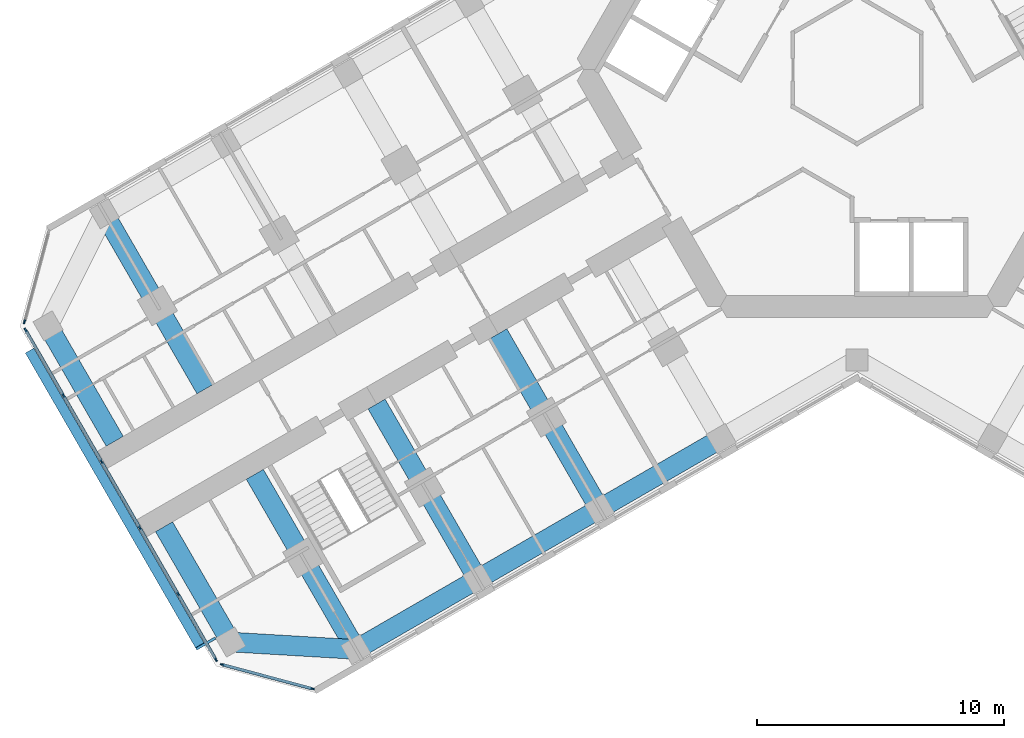
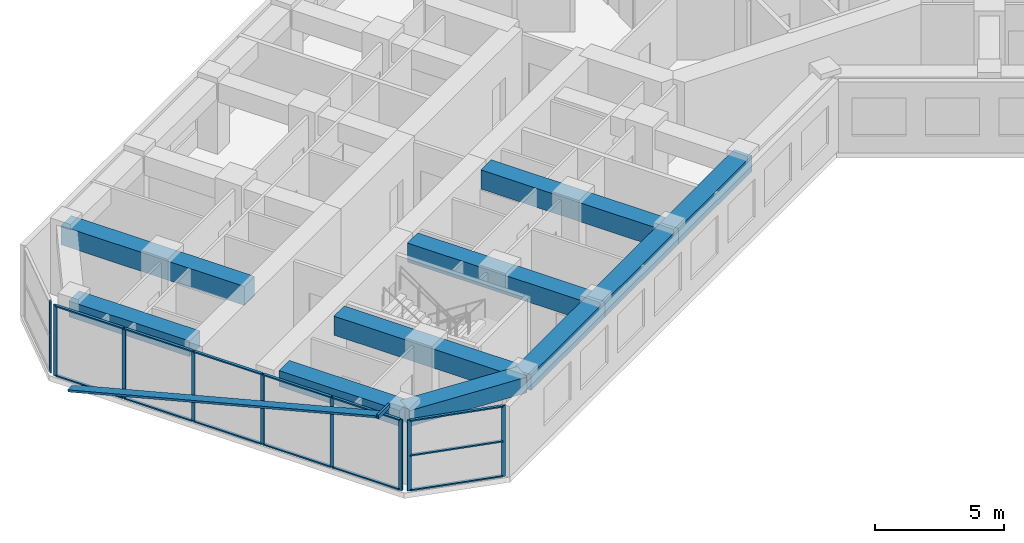
# One storey, part 2 of 19: 24 members, 10 beams, 3 elements without a shape of their own.
"""IFC4 building model written with IfcOpenShell, lengths in metres."""

from ifc_helpers import new_model, si_unit, direction, frame, origin, origin_2d, place, context, subcontext, project, spatial, rectangle, hollow_rectangle, extrude, material, material_profile, profile_set, type_object, element, aggregate, save


model = new_model("IFC4")

# Units and contexts
model_context = context("Model", 3, precision=1e-05, world=origin(), true_north=direction((0.0, 1.0)))
body_context = subcontext(model_context, "Body", "Model", "MODEL_VIEW")
ifc_project = project(units=[si_unit("LENGTHUNIT", "METRE"), si_unit("AREAUNIT", "SQUARE_METRE"), si_unit("VOLUMEUNIT", "CUBIC_METRE"), si_unit("PLANEANGLEUNIT", "RADIAN"), si_unit("MASSUNIT", "GRAM", prefix="KILO")], contexts=[model_context])

# Site, building, storey
site_placement = place(None, origin())
site = spatial("IfcSite", under=ifc_project, at=site_placement, CompositionType="ELEMENT")
building_placement = place(site_placement, origin())
building = spatial("IfcBuilding", under=site, at=building_placement, Name="Kosmar Iwan School Tower", CompositionType="ELEMENT")
storey_placement = place(building_placement, frame((0.0, 0.0, 168.800048828125)))
storey = spatial("IfcBuildingStorey", under=building, at=storey_placement, Name="L42", CompositionType="ELEMENT", Elevation=168.800048828125)

# Members
ifc_material_1 = material(Name="Black anodised aluminium", Category="aluminium")
ifc_material_profile_1 = material_profile(ifc_material_1, rectangle(XDim=0.10009765625, YDim=0.39990234375, at=origin_2d()), Name="FIN 100x400")
ifc_profile_set_1 = profile_set([ifc_material_profile_1], Name="Black anodised aluminium")
member_type_1 = type_object("IfcMemberType", Name="Diagonal fin 100x400", PredefinedType="USERDEFINED", material=ifc_profile_set_1)
member_1_placement = place(storey_placement, frame((-33.54345703125, -11.40087890625, -0.150146484375), z_axis=(0.483793446988, -0.837970316603, 0.25248692866), x_axis=(-0.126241714543, 0.218661104574, 0.96760030532)))
element("IfcMember", 1, at=member_1_placement, inside=storey, type_object=member_type_1, Name="Diagonal fin L42-F13", ObjectType="FIN", PredefinedType="USERDEFINED", context=body_context, shape_type="SweptSolid", body=[
    extrude(rectangle(XDim=0.10009765625, YDim=0.39990234375, at=origin_2d()), origin(), (0.0, 0.0, 1.0), 14.258544921875),
])
ifc_material_2 = material(Name="Steel S355", Category="steel")
ifc_material_profile_2 = material_profile(ifc_material_2, hollow_rectangle(XDim=0.10009765625, YDim=0.199951171875, WallThickness=0.008056640625, at=origin_2d()), Name="RHS 200x100x8")
ifc_profile_set_2 = profile_set([ifc_material_profile_2], Name="Steel S355")
member_type_2 = type_object("IfcMemberType", Name="Fin bracket RHS 200x100", PredefinedType="USERDEFINED", material=ifc_profile_set_2)
member_2_placement = place(storey_placement, frame((-26.01318359375, -23.0439453125, 3.474853515625), z_axis=(-0.866013897511, -0.50001992892, 0.0), x_axis=(0.50001992892, -0.866013897511, 0.0)))
element("IfcMember", 2, at=member_2_placement, inside=storey, type_object=member_type_2, Name="Fin bracket L43", ObjectType="FIN BRACKET", PredefinedType="USERDEFINED", context=body_context, shape_type="SweptSolid", body=[
    extrude(hollow_rectangle(XDim=0.10009765625, YDim=0.199951171875, WallThickness=0.008056640625, at=origin_2d()), origin(), (0.0, 0.0, 1.0), 0.89990234375),
])

# Curtain wall, member
ifc_material_3 = material(Name="Dark glass in black aluminium frame", Category="aluminium")
curtain_wall_type_1 = type_object("IfcCurtainWallType", Name="Chamfer curtain wall dark glass", PredefinedType="USERDEFINED", material=ifc_material_3)
curtain_wall_1_placement = place(storey_placement, origin())
curtain_wall_1 = element("IfcCurtainWall", 3, at=curtain_wall_1_placement, inside=storey, type_object=curtain_wall_type_1, Name="Curtain wall L42-F12", ObjectType="FACETED CURTAIN WALL", PredefinedType="USERDEFINED")
ifc_material_4 = material(Name="Black anodised aluminium", Category="aluminium")
ifc_material_profile_3 = material_profile(ifc_material_4, rectangle(XDim=0.06005859375, YDim=0.159912109375, at=origin_2d()), Name="MULLION 60x160")
ifc_profile_set_3 = profile_set([ifc_material_profile_3], Name="Black anodised aluminium")
member_type_3 = type_object("IfcMemberType", Name="Mullion 60x160", PredefinedType="MULLION", material=ifc_profile_set_3)
member_3_placement = place(storey_placement, frame((-33.7587890625, -10.2236328125, 0.0), z_axis=(0.0, 0.0, 1.0), x_axis=(0.965925875495, -0.258818861462, 0.0)))
member_3 = element("IfcMember", 4, at=member_3_placement, type_object=member_type_3, Name="CW2 mullion 2", PredefinedType="MULLION", context=body_context, shape_type="SweptSolid", body=[
    extrude(rectangle(XDim=0.06005859375, YDim=0.159912109375, at=origin_2d()), origin(), (0.0, 0.0, 1.0), 3.349853515625),
])
aggregate(curtain_wall_1, [member_3])

# Curtain wall, members
ifc_material_5 = material(Name="Dark glass in black aluminium frame", Category="aluminium")
curtain_wall_type_2 = type_object("IfcCurtainWallType", Name="Tower curtain wall dark glass", PredefinedType="USERDEFINED", material=ifc_material_5)
curtain_wall_2_placement = place(storey_placement, origin())
curtain_wall_2 = element("IfcCurtainWall", 5, at=curtain_wall_2_placement, inside=storey, type_object=curtain_wall_type_2, Name="Curtain wall L42-F13", ObjectType="UNITISED CURTAIN WALL", PredefinedType="USERDEFINED")
member_4_placement = place(storey_placement, frame((-33.71533203125, -10.55322265625, 0.0), z_axis=(0.0, 0.0, 1.0), x_axis=(0.866025405329, 0.499999997325, 0.0)))
member_4 = element("IfcMember", 6, at=member_4_placement, type_object=member_type_3, Name="CW1 mullion 1", PredefinedType="MULLION", context=body_context, shape_type="SweptSolid", body=[
    extrude(rectangle(XDim=0.06005859375, YDim=0.159912109375, at=origin_2d()), origin(), (0.0, 0.0, 1.0), 3.349853515625),
])
member_5_placement = place(storey_placement, frame((-32.1806640625, -13.21142578125, 0.0), z_axis=(0.0, 0.0, 1.0), x_axis=(0.866025405329, 0.499999997325, 0.0)))
member_5 = element("IfcMember", 7, at=member_5_placement, type_object=member_type_3, Name="CW1 mullion 2", PredefinedType="MULLION", context=body_context, shape_type="SweptSolid", body=[
    extrude(rectangle(XDim=0.06005859375, YDim=0.159912109375, at=origin_2d()), origin(), (0.0, 0.0, 1.0), 3.349853515625),
])
member_6_placement = place(storey_placement, frame((-30.631103515625, -15.8955078125, 0.0), z_axis=(0.0, 0.0, 1.0), x_axis=(0.866025405329, 0.499999997325, 0.0)))
member_6 = element("IfcMember", 8, at=member_6_placement, type_object=member_type_3, Name="CW1 mullion 3", PredefinedType="MULLION", context=body_context, shape_type="SweptSolid", body=[
    extrude(rectangle(XDim=0.06005859375, YDim=0.159912109375, at=origin_2d()), origin(), (0.0, 0.0, 1.0), 3.349853515625),
])
member_7_placement = place(storey_placement, frame((-29.081298828125, -18.57958984375, 0.0), z_axis=(0.0, 0.0, 1.0), x_axis=(0.866025405329, 0.499999997325, 0.0)))
member_7 = element("IfcMember", 9, at=member_7_placement, type_object=member_type_3, Name="CW1 mullion 4", PredefinedType="MULLION", context=body_context, shape_type="SweptSolid", body=[
    extrude(rectangle(XDim=0.06005859375, YDim=0.159912109375, at=origin_2d()), origin(), (0.0, 0.0, 1.0), 3.349853515625),
])
member_8_placement = place(storey_placement, frame((-27.53173828125, -21.263671875, 0.0), z_axis=(0.0, 0.0, 1.0), x_axis=(0.866025405329, 0.499999997325, 0.0)))
member_8 = element("IfcMember", 10, at=member_8_placement, type_object=member_type_3, Name="CW1 mullion 5", PredefinedType="MULLION", context=body_context, shape_type="SweptSolid", body=[
    extrude(rectangle(XDim=0.06005859375, YDim=0.159912109375, at=origin_2d()), origin(), (0.0, 0.0, 1.0), 3.349853515625),
])
member_9_placement = place(storey_placement, frame((-25.9970703125, -23.921630859375, 0.0), z_axis=(0.0, 0.0, 1.0), x_axis=(0.866025405329, 0.499999997325, 0.0)))
member_9 = element("IfcMember", 11, at=member_9_placement, type_object=member_type_3, Name="CW1 mullion 6", PredefinedType="MULLION", context=body_context, shape_type="SweptSolid", body=[
    extrude(rectangle(XDim=0.06005859375, YDim=0.159912109375, at=origin_2d()), origin(), (0.0, 0.0, 1.0), 3.349853515625),
])

curtain_wall_3_placement = place(storey_placement, origin())
curtain_wall_3 = element("IfcCurtainWall", 12, at=curtain_wall_3_placement, inside=storey, type_object=curtain_wall_type_1, Name="Curtain wall L42-F14", ObjectType="FACETED CURTAIN WALL", PredefinedType="USERDEFINED")
member_10_placement = place(storey_placement, frame((-25.733154296875, -24.124267578125, 0.0), z_axis=(0.0, 0.0, 1.0), x_axis=(0.258818861462, 0.965925875495, 0.0)))
member_10 = element("IfcMember", 13, at=member_10_placement, type_object=member_type_3, Name="CW2 mullion 1", PredefinedType="MULLION", context=body_context, shape_type="SweptSolid", body=[
    extrude(rectangle(XDim=0.06005859375, YDim=0.159912109375, at=origin_2d()), origin(), (0.0, 0.0, 1.0), 3.349853515625),
])
member_11_placement = place(storey_placement, frame((-22.0830078125, -25.102294921875, 0.0), z_axis=(0.0, 0.0, 1.0), x_axis=(0.258818861462, 0.965925875495, 0.0)))
member_11 = element("IfcMember", 14, at=member_11_placement, type_object=member_type_3, Name="CW2 mullion 2", PredefinedType="MULLION", context=body_context, shape_type="SweptSolid", body=[
    extrude(rectangle(XDim=0.06005859375, YDim=0.159912109375, at=origin_2d()), origin(), (0.0, 0.0, 1.0), 3.349853515625),
])

# Beams
ifc_material_6 = material(Name="Concrete C50/60", Category="concrete")
ifc_material_profile_4 = material_profile(ifc_material_6, rectangle(XDim=0.800048828125, YDim=0.75, at=origin_2d()), Name="RC 800x750")
ifc_profile_set_4 = profile_set([ifc_material_profile_4], Name="Concrete C50/60")
beam_type_1 = type_object("IfcBeamType", Name="RC edge beam 800x750", PredefinedType="BEAM", material=ifc_profile_set_4)
beam_1_placement = place(storey_placement, frame((-5.5087890625, -14.95849609375, 2.974853515625), z_axis=(-0.866033658841, -0.49998570155, 0.0), x_axis=(0.49998570155, -0.866033658841, 0.0)))
element("IfcBeam", 15, at=beam_1_placement, inside=storey, type_object=beam_type_1, Name="Edge beam BL2", PredefinedType="BEAM", context=body_context, shape_type="SweptSolid", body=[
    extrude(rectangle(XDim=0.800048828125, YDim=0.75, at=origin_2d()), origin(), (0.0, 0.0, 1.0), 5.699951171875),
])
beam_2_placement = place(storey_placement, frame((-10.445068359375, -17.808349609375, 2.974853515625), z_axis=(-0.866025820012, -0.499999279071, 0.0), x_axis=(0.499999279071, -0.866025820012, 0.0)))
element("IfcBeam", 16, at=beam_2_placement, inside=storey, type_object=beam_type_1, Name="Edge beam BL3", PredefinedType="BEAM", context=body_context, shape_type="SweptSolid", body=[
    extrude(rectangle(XDim=0.800048828125, YDim=0.75, at=origin_2d()), origin(), (0.0, 0.0, 1.0), 5.7001953125),
])
beam_3_placement = place(storey_placement, frame((-15.381591796875, -20.658447265625, 2.974853515625), z_axis=(-0.866015111908, -0.50001782563, 0.0), x_axis=(0.50001782563, -0.866015111908, 0.0)))
element("IfcBeam", 17, at=beam_3_placement, inside=storey, type_object=beam_type_1, Name="Edge beam BL4", PredefinedType="BEAM", context=body_context, shape_type="SweptSolid", body=[
    extrude(rectangle(XDim=0.800048828125, YDim=0.75, at=origin_2d()), origin(), (0.0, 0.0, 1.0), 5.699951171875),
])
ifc_material_7 = material(Name="Concrete C50/60", Category="concrete")
ifc_material_profile_5 = material_profile(ifc_material_7, rectangle(XDim=0.800048828125, YDim=0.75, at=origin_2d()), Name="RC 800x750")
ifc_profile_set_5 = profile_set([ifc_material_profile_5], Name="Concrete C50/60")
beam_type_2 = type_object("IfcBeamType", Name="RC tip beam 800x750", PredefinedType="BEAM", material=ifc_profile_set_5)
beam_4_placement = place(storey_placement, frame((-20.31787109375, -23.508544921875, 2.974853515625), z_axis=(-0.998260616478, 0.058955420358, 0.0), x_axis=(-0.058955420358, -0.998260616478, 0.0)))
element("IfcBeam", 18, at=beam_4_placement, inside=storey, type_object=beam_type_2, Name="Tip beam BL", PredefinedType="BEAM", context=body_context, shape_type="SweptSolid", body=[
    extrude(rectangle(XDim=0.800048828125, YDim=0.75, at=origin_2d()), origin(), (0.0, 0.0, 1.0), 5.08935546875),
])
for number, where, z_axis, x_axis, name in (
    (19, (-25.3984375, -23.20849609375, 2.974853515625), (-0.499995103361, 0.866028230842, 0.0), (-0.866028230842, -0.499995103361, 0.0), "Tip beam BL to corridor wall"),
    (20, (-32.79833984375, -10.391357421875, 2.974853515625), (0.499995103361, -0.866028230842, 0.0), (0.866028230842, 0.499995103361, 0.0), "Tip beam BR to corridor wall"),
):
    element("IfcBeam", number, at=place(storey_placement, frame(where, z_axis=z_axis, x_axis=x_axis)), inside=storey, type_object=beam_type_2, Name=name, PredefinedType="BEAM", context=body_context, shape_type="SweptSolid", body=[
        extrude(rectangle(XDim=0.800048828125, YDim=0.75, at=origin_2d()), origin(), (0.0, 0.0, 1.0), 5.39990234375),
    ])
ifc_material_8 = material(Name="Concrete C50/60", Category="concrete")
ifc_material_profile_6 = material_profile(ifc_material_8, rectangle(XDim=0.800048828125, YDim=0.89990234375, at=origin_2d()), Name="RC 800x900")
ifc_profile_set_6 = profile_set([ifc_material_profile_6], Name="Concrete C50/60")
beam_type_3 = type_object("IfcBeamType", Name="RC transverse beam 800x900", PredefinedType="BEAM", material=ifc_profile_set_6)
for number, where, z_axis, x_axis, name in (
    (21, (-10.445068359375, -17.808349609375, 2.89990234375), (-0.500013681986, 0.866017504342, 0.0), (-0.866017504342, -0.500013681986, 0.0), "Transverse beam BL2"),
    (22, (-15.381591796875, -20.658447265625, 2.89990234375), (-0.49999135188, 0.866030396721, 0.0), (-0.866030396721, -0.49999135188, 0.0), "Transverse beam BL3"),
    (23, (-20.31787109375, -23.508544921875, 2.89990234375), (-0.499978459874, 0.866037839625, 0.0), (-0.866037839625, -0.499978459874, 0.0), "Transverse beam BL4"),
    (24, (-30.517822265625, -5.841552734375, 2.89990234375), (0.500013681986, -0.866017504342, 0.0), (0.866017504342, 0.500013681986, 0.0), "Transverse beam BR4"),
):
    element("IfcBeam", number, at=place(storey_placement, frame(where, z_axis=z_axis, x_axis=x_axis)), inside=storey, type_object=beam_type_3, Name=name, PredefinedType="BEAM", context=body_context, shape_type="SweptSolid", body=[
        extrude(rectangle(XDim=0.800048828125, YDim=0.89990234375, at=origin_2d()), origin(), (0.0, 0.0, 1.0), 8.199951171875),
    ])

# Member
ifc_material_9 = material(Name="Black anodised aluminium", Category="aluminium")
ifc_material_profile_7 = material_profile(ifc_material_9, rectangle(XDim=0.1201171875, YDim=0.06005859375, at=origin_2d()), Name="TRANSOM 60x120")
ifc_profile_set_7 = profile_set([ifc_material_profile_7], Name="Black anodised aluminium")
member_type_4 = type_object("IfcMemberType", Name="Transom 60x120", PredefinedType="USERDEFINED", material=ifc_profile_set_7)
member_12_placement = place(storey_placement, frame((-33.700439453125, -10.579345703125, 0.030029296875), z_axis=(0.500022102064, -0.866012642776, 0.0), x_axis=(0.866012642776, 0.500022102064, 0.0)))
member_12 = element("IfcMember", 25, at=member_12_placement, type_object=member_type_4, Name="CW1 transom 1.1", ObjectType="TRANSOM", PredefinedType="USERDEFINED", context=body_context, shape_type="SweptSolid", body=[
    extrude(rectangle(XDim=0.1201171875, YDim=0.06005859375, at=origin_2d()), origin(), (0.0, 0.0, 1.0), 3.009033203125),
])

member_13_placement = place(storey_placement, frame((-33.700439453125, -10.579345703125, 3.320068359375), z_axis=(0.500022102064, -0.866012642776, 0.0), x_axis=(0.866012642776, 0.500022102064, 0.0)))
member_13 = element("IfcMember", 26, at=member_13_placement, type_object=member_type_4, Name="CW1 transom 1.2", ObjectType="TRANSOM", PredefinedType="USERDEFINED", context=body_context, shape_type="SweptSolid", body=[
    extrude(rectangle(XDim=0.1201171875, YDim=0.06005859375, at=origin_2d()), origin(), (0.0, 0.0, 1.0), 3.009033203125),
])

member_14_placement = place(storey_placement, frame((-32.165771484375, -13.2373046875, 0.030029296875), z_axis=(0.500035348339, -0.866004994449, 0.0), x_axis=(0.866004994449, 0.500035348339, 0.0)))
member_14 = element("IfcMember", 27, at=member_14_placement, type_object=member_type_4, Name="CW1 transom 2.1", ObjectType="TRANSOM", PredefinedType="USERDEFINED", context=body_context, shape_type="SweptSolid", body=[
    extrude(rectangle(XDim=0.1201171875, YDim=0.06005859375, at=origin_2d()), origin(), (0.0, 0.0, 1.0), 3.039306640625),
])

member_15_placement = place(storey_placement, frame((-32.165771484375, -13.2373046875, 3.320068359375), z_axis=(0.500035348339, -0.866004994449, 0.0), x_axis=(0.866004994449, 0.500035348339, 0.0)))
member_15 = element("IfcMember", 28, at=member_15_placement, type_object=member_type_4, Name="CW1 transom 2.2", ObjectType="TRANSOM", PredefinedType="USERDEFINED", context=body_context, shape_type="SweptSolid", body=[
    extrude(rectangle(XDim=0.1201171875, YDim=0.06005859375, at=origin_2d()), origin(), (0.0, 0.0, 1.0), 3.039306640625),
])

member_16_placement = place(storey_placement, frame((-30.615966796875, -15.92138671875, 0.030029296875), z_axis=(0.499975102327, -0.866039777986, 0.0), x_axis=(0.866039777986, 0.499975102327, 0.0)))
member_16 = element("IfcMember", 29, at=member_16_placement, type_object=member_type_4, Name="CW1 transom 3.1", ObjectType="TRANSOM", PredefinedType="USERDEFINED", context=body_context, shape_type="SweptSolid", body=[
    extrude(rectangle(XDim=0.1201171875, YDim=0.06005859375, at=origin_2d()), origin(), (0.0, 0.0, 1.0), 3.039306640625),
])

member_17_placement = place(storey_placement, frame((-30.615966796875, -15.92138671875, 3.320068359375), z_axis=(0.499975102327, -0.866039777986, 0.0), x_axis=(0.866039777986, 0.499975102327, 0.0)))
member_17 = element("IfcMember", 30, at=member_17_placement, type_object=member_type_4, Name="CW1 transom 3.2", ObjectType="TRANSOM", PredefinedType="USERDEFINED", context=body_context, shape_type="SweptSolid", body=[
    extrude(rectangle(XDim=0.1201171875, YDim=0.06005859375, at=origin_2d()), origin(), (0.0, 0.0, 1.0), 3.039306640625),
])

member_18_placement = place(storey_placement, frame((-29.06640625, -18.60546875, 0.030029296875), z_axis=(0.499975102327, -0.866039777986, 0.0), x_axis=(0.866039777986, 0.499975102327, 0.0)))
member_18 = element("IfcMember", 31, at=member_18_placement, type_object=member_type_4, Name="CW1 transom 4.1", ObjectType="TRANSOM", PredefinedType="USERDEFINED", context=body_context, shape_type="SweptSolid", body=[
    extrude(rectangle(XDim=0.1201171875, YDim=0.06005859375, at=origin_2d()), origin(), (0.0, 0.0, 1.0), 3.039306640625),
])

member_19_placement = place(storey_placement, frame((-29.06640625, -18.60546875, 3.320068359375), z_axis=(0.499975102327, -0.866039777986, 0.0), x_axis=(0.866039777986, 0.499975102327, 0.0)))
member_19 = element("IfcMember", 32, at=member_19_placement, type_object=member_type_4, Name="CW1 transom 4.2", ObjectType="TRANSOM", PredefinedType="USERDEFINED", context=body_context, shape_type="SweptSolid", body=[
    extrude(rectangle(XDim=0.1201171875, YDim=0.06005859375, at=origin_2d()), origin(), (0.0, 0.0, 1.0), 3.039306640625),
])

member_20_placement = place(storey_placement, frame((-27.516845703125, -21.28955078125, 0.030029296875), z_axis=(0.499986971506, -0.866032925658, 0.0), x_axis=(0.866032925658, 0.499986971506, 0.0)))
member_20 = element("IfcMember", 33, at=member_20_placement, type_object=member_type_4, Name="CW1 transom 5.1", ObjectType="TRANSOM", PredefinedType="USERDEFINED", context=body_context, shape_type="SweptSolid", body=[
    extrude(rectangle(XDim=0.1201171875, YDim=0.06005859375, at=origin_2d()), origin(), (0.0, 0.0, 1.0), 3.00927734375),
])

member_21_placement = place(storey_placement, frame((-27.516845703125, -21.28955078125, 3.320068359375), z_axis=(0.499986971506, -0.866032925658, 0.0), x_axis=(0.866032925658, 0.499986971506, 0.0)))
member_21 = element("IfcMember", 34, at=member_21_placement, type_object=member_type_4, Name="CW1 transom 5.2", ObjectType="TRANSOM", PredefinedType="USERDEFINED", context=body_context, shape_type="SweptSolid", body=[
    extrude(rectangle(XDim=0.1201171875, YDim=0.06005859375, at=origin_2d()), origin(), (0.0, 0.0, 1.0), 3.00927734375),
])

aggregate(curtain_wall_2, [member_4, member_5, member_6, member_7, member_8, member_9, member_12, member_13, member_14, member_15, member_16, member_17, member_18, member_19, member_20, member_21])

member_22_placement = place(storey_placement, frame((-25.704345703125, -24.1318359375, 0.030029296875), z_axis=(0.965923731726, -0.258826861991, 0.0), x_axis=(0.258826861991, 0.965923731726, 0.0)))
member_22 = element("IfcMember", 35, at=member_22_placement, type_object=member_type_4, Name="CW2 transom 1.1", ObjectType="TRANSOM", PredefinedType="USERDEFINED", context=body_context, shape_type="SweptSolid", body=[
    extrude(rectangle(XDim=0.1201171875, YDim=0.06005859375, at=origin_2d()), origin(), (0.0, 0.0, 1.0), 3.71923828125),
])

member_23_placement = place(storey_placement, frame((-25.704345703125, -24.1318359375, 1.675048828125), z_axis=(0.965923731726, -0.258826861991, 0.0), x_axis=(0.258826861991, 0.965923731726, 0.0)))
member_23 = element("IfcMember", 36, at=member_23_placement, type_object=member_type_4, Name="CW2 transom 1.2", ObjectType="TRANSOM", PredefinedType="USERDEFINED", context=body_context, shape_type="SweptSolid", body=[
    extrude(rectangle(XDim=0.1201171875, YDim=0.06005859375, at=origin_2d()), origin(), (0.0, 0.0, 1.0), 3.71923828125),
])

member_24_placement = place(storey_placement, frame((-25.704345703125, -24.1318359375, 3.320068359375), z_axis=(0.965923731726, -0.258826861991, 0.0), x_axis=(0.258826861991, 0.965923731726, 0.0)))
member_24 = element("IfcMember", 37, at=member_24_placement, type_object=member_type_4, Name="CW2 transom 1.3", ObjectType="TRANSOM", PredefinedType="USERDEFINED", context=body_context, shape_type="SweptSolid", body=[
    extrude(rectangle(XDim=0.1201171875, YDim=0.06005859375, at=origin_2d()), origin(), (0.0, 0.0, 1.0), 3.71923828125),
])

aggregate(curtain_wall_3, [member_10, member_11, member_22, member_23, member_24])

save(model, "model.ifc")
